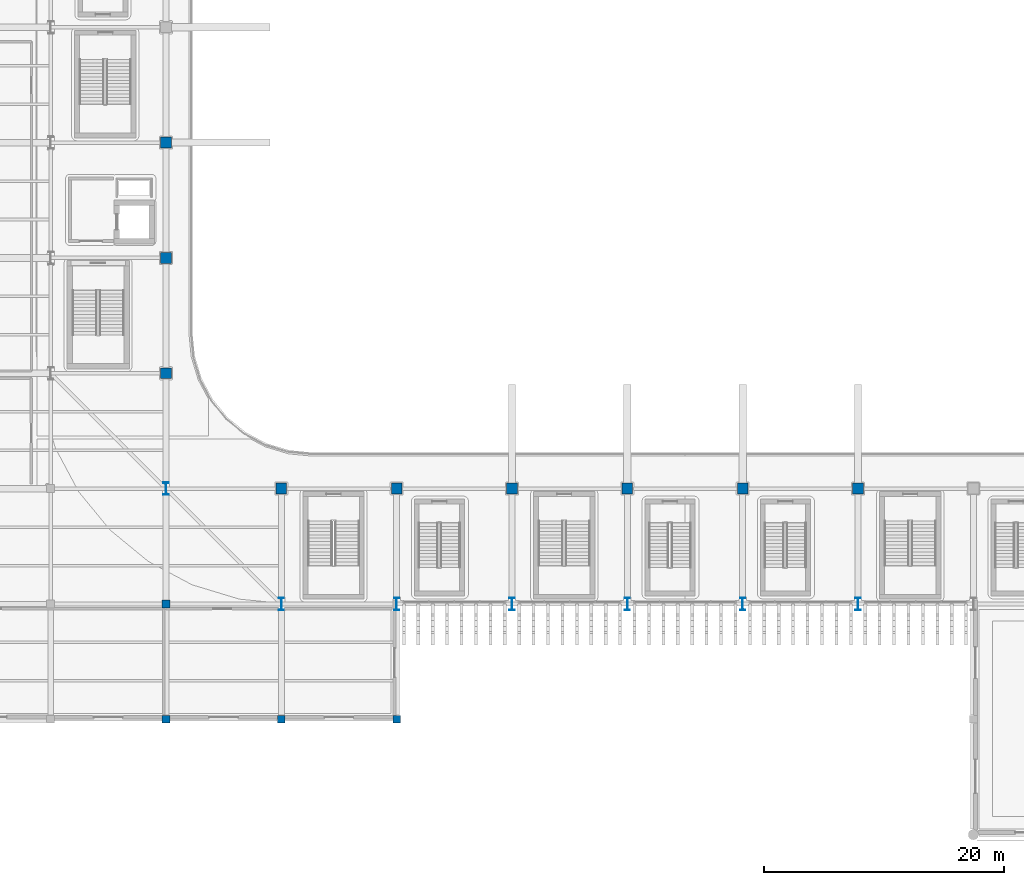
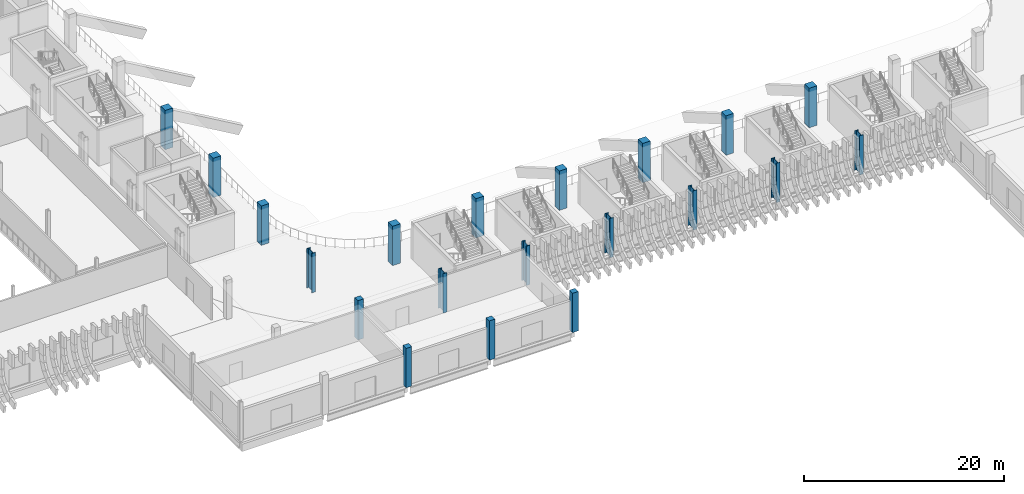
# One storey, part 5 of 100: 20 columns.
"""IFC4 building model written with IfcOpenShell, lengths in metres."""

from ifc_helpers import new_model, si_unit, direction, frame, origin, origin_2d, place, context, subcontext, project, spatial, rectangle, i_section, extrude, material, material_profile, profile_set, type_object, element, save


model = new_model("IFC4")

# Units and contexts
model_context = context("Model", 3, precision=1e-05, world=origin(), true_north=direction((0.0, 1.0)))
body_context = subcontext(model_context, "Body", "Model", "MODEL_VIEW")
ifc_project = project(units=[si_unit("LENGTHUNIT", "METRE"), si_unit("AREAUNIT", "SQUARE_METRE"), si_unit("VOLUMEUNIT", "CUBIC_METRE"), si_unit("PLANEANGLEUNIT", "RADIAN"), si_unit("MASSUNIT", "GRAM", prefix="KILO")], contexts=[model_context])

# Site, building, storey
site_placement = place(None, origin())
site = spatial("IfcSite", under=ifc_project, at=site_placement, CompositionType="ELEMENT")
building_placement = place(site_placement, origin())
building = spatial("IfcBuilding", under=site, at=building_placement, Name="Caelomonte Colonnade Arena", CompositionType="ELEMENT")
storey_placement = place(building_placement, origin())
storey = spatial("IfcBuildingStorey", under=building, at=storey_placement, Name="L00", CompositionType="ELEMENT", Elevation=0.0)

# Columns
ifc_material_1 = material(Name="Concrete C50/60", Category="concrete")
ifc_material_profile_1 = material_profile(ifc_material_1, rectangle(XDim=0.89990234375, YDim=0.89990234375, at=origin_2d()), Name="RC900X900")
ifc_profile_set_1 = profile_set([ifc_material_profile_1], Name="Concrete C50/60")
column_type_1 = type_object("IfcColumnType", Name="STR-COL-RC09", PredefinedType="COLUMN", material=ifc_profile_set_1)
for number, where, z_axis, x_axis, name in (
    (1, (67.199951171875, 38.39990234375, 0.0), (0.0, 0.0, 1.0), (1.0, 0.0, 0.0), "L00 column (67.2, 38.4)"),
    (2, (67.199951171875, 48.0, 0.0), (0.0, 0.0, 1.0), (1.0, 0.0, 0.0), "L00 column (67.2, 48.0)"),
    (3, (67.199951171875, 57.60009765625, 0.0), (0.0, 0.0, 1.0), (1.0, 0.0, 0.0), "L00 column (67.2, 57.6)"),
    (4, (76.800048828125, 28.800048828125, 0.0), (0.0, 0.0, 1.0), (1.0, 0.0, 0.0), "L00 column (76.8, 28.8)"),
    (5, (86.39990234375, 28.800048828125, 0.0), (0.0, 0.0, 1.0), (1.0, 0.0, 0.0), "L00 column (86.4, 28.8)"),
    (6, (96.0, 28.800048828125, 0.0), (0.0, 0.0, 1.0), (1.0, 0.0, 0.0), "L00 column (96.0, 28.8)"),
    (7, (105.60009765625, 28.800048828125, 0.0), (0.0, 0.0, 1.0), (1.0, 0.0, 0.0), "L00 column (105.6, 28.8)"),
    (8, (115.199951171875, 28.800048828125, 0.0), (0.0, 0.0, 1.0), (1.0, 0.0, 0.0), "L00 column (115.2, 28.8)"),
    (9, (124.800048828125, 28.800048828125, 0.0), (0.0, 0.0, 1.0), (1.0, 0.0, 0.0), "L00 column (124.8, 28.8)"),
):
    element("IfcColumn", number, at=place(storey_placement, frame(where, z_axis=z_axis, x_axis=x_axis)), inside=storey, type_object=column_type_1, Name=name, PredefinedType="COLUMN", context=body_context, shape_type="SweptSolid", body=[
        extrude(rectangle(XDim=0.89990234375, YDim=0.89990234375, at=origin_2d()), origin(), (0.0, 0.0, 1.0), 4.800048828125),
    ])
ifc_material_2 = material(Name="Concrete C40/50", Category="concrete")
ifc_material_profile_2 = material_profile(ifc_material_2, rectangle(XDim=0.64990234375, YDim=0.64990234375, at=origin_2d()), Name="RC650X650")
ifc_profile_set_2 = profile_set([ifc_material_profile_2], Name="Concrete C40/50")
column_type_2 = type_object("IfcColumnType", Name="STR-COL-RC65", PredefinedType="COLUMN", material=ifc_profile_set_2)
for number, where, z_axis, x_axis, name in (
    (10, (67.199951171875, 9.60009765625, 0.0), (0.0, 0.0, 1.0), (1.0, 0.0, 0.0), "L00 column (67.2, 9.6)"),
    (11, (67.199951171875, 19.199951171875, 0.0), (0.0, 0.0, 1.0), (1.0, 0.0, 0.0), "L00 column (67.2, 19.2)"),
    (12, (76.800048828125, 9.60009765625, 0.0), (0.0, 0.0, 1.0), (1.0, 0.0, 0.0), "L00 column (76.8, 9.6)"),
    (13, (86.39990234375, 9.60009765625, 0.0), (0.0, 0.0, 1.0), (1.0, 0.0, 0.0), "L00 column (86.4, 9.6)"),
):
    element("IfcColumn", number, at=place(storey_placement, frame(where, z_axis=z_axis, x_axis=x_axis)), inside=storey, type_object=column_type_2, Name=name, PredefinedType="COLUMN", context=body_context, shape_type="SweptSolid", body=[
        extrude(rectangle(XDim=0.64990234375, YDim=0.64990234375, at=origin_2d()), origin(), (0.0, 0.0, 1.0), 4.800048828125),
    ])
ifc_material_3 = material(Name="Wide-flange steel ASTM A992 Grade 50", Category="steel")
ifc_material_profile_3 = material_profile(ifc_material_3, i_section(OverallWidth=0.427001953125, OverallDepth=1.04150390625, WebThickness=0.031005859375, FlangeThickness=0.055908203125, FilletRadius=0.030517578125, at=origin_2d()), Name="W40X397")
ifc_profile_set_3 = profile_set([ifc_material_profile_3], Name="Wide-flange steel ASTM A992 Grade 50")
column_type_3 = type_object("IfcColumnType", Name="STR-COL-W40A", PredefinedType="COLUMN", material=ifc_profile_set_3)
for number, where, z_axis, x_axis, name in (
    (14, (67.199951171875, 28.800048828125, 0.0), (0.0, 0.0, 1.0), (1.0, 0.0, 0.0), "L00 column (67.2, 28.8)"),
    (15, (76.800048828125, 19.199951171875, 0.0), (0.0, 0.0, 1.0), (1.0, 0.0, 0.0), "L00 column (76.8, 19.2)"),
    (16, (86.39990234375, 19.199951171875, 0.0), (0.0, 0.0, 1.0), (1.0, 0.0, 0.0), "L00 column (86.4, 19.2)"),
    (17, (96.0, 19.199951171875, 0.0), (0.0, 0.0, 1.0), (1.0, 0.0, 0.0), "L00 column (96.0, 19.2)"),
    (18, (105.60009765625, 19.199951171875, 0.0), (0.0, 0.0, 1.0), (1.0, 0.0, 0.0), "L00 column (105.6, 19.2)"),
    (19, (115.199951171875, 19.199951171875, 0.0), (0.0, 0.0, 1.0), (1.0, 0.0, 0.0), "L00 column (115.2, 19.2)"),
    (20, (124.800048828125, 19.199951171875, 0.0), (0.0, 0.0, 1.0), (1.0, 0.0, 0.0), "L00 column (124.8, 19.2)"),
):
    element("IfcColumn", number, at=place(storey_placement, frame(where, z_axis=z_axis, x_axis=x_axis)), inside=storey, type_object=column_type_3, Name=name, PredefinedType="COLUMN", context=body_context, shape_type="SweptSolid", body=[
        extrude(i_section(OverallWidth=0.427001953125, OverallDepth=1.04150390625, WebThickness=0.031005859375, FlangeThickness=0.055908203125, FilletRadius=0.030517578125, at=origin_2d()), origin(), (0.0, 0.0, 1.0), 4.800048828125),
    ])

save(model, "model.ifc")
